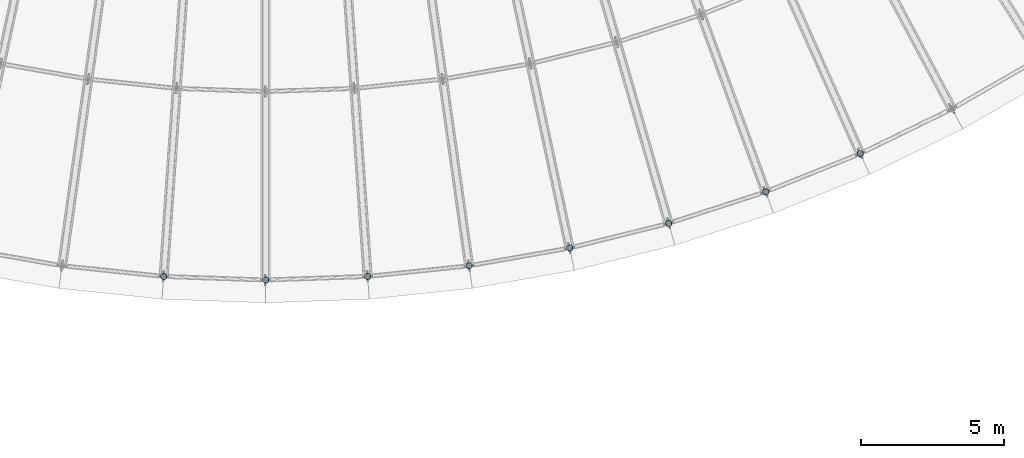
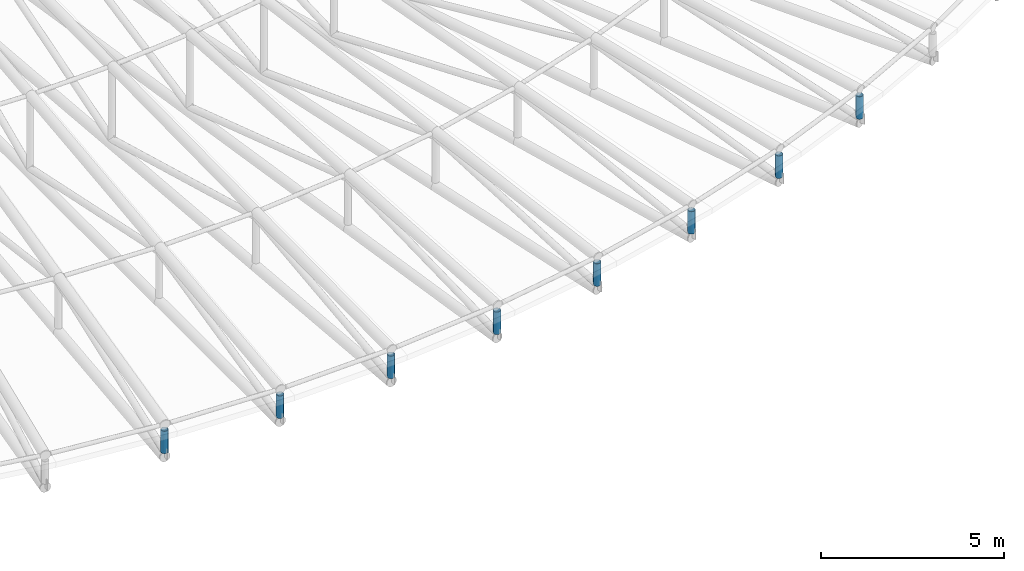
# One storey, part 79 of 163: 8 members.
"""IFC4 building model written with IfcOpenShell, lengths in metres."""

from ifc_helpers import new_model, si_unit, direction, frame, origin, origin_2d, place, context, subcontext, project, spatial, hollow_circle, extrude, material, material_profile, profile_set, type_object, element, save


model = new_model("IFC4")

# Units and contexts
model_context = context("Model", 3, precision=1e-05, world=origin(), true_north=direction((0.0, 1.0)))
body_context = subcontext(model_context, "Body", "Model", "MODEL_VIEW")
ifc_project = project(units=[si_unit("LENGTHUNIT", "METRE"), si_unit("AREAUNIT", "SQUARE_METRE"), si_unit("VOLUMEUNIT", "CUBIC_METRE"), si_unit("PLANEANGLEUNIT", "RADIAN"), si_unit("MASSUNIT", "GRAM", prefix="KILO")], contexts=[model_context])

# Site, building, storey
site_placement = place(None, origin())
site = spatial("IfcSite", under=ifc_project, at=site_placement, CompositionType="ELEMENT")
building_placement = place(site_placement, origin())
building = spatial("IfcBuilding", under=site, at=building_placement, Name="Rain Tree Exposition and Congress Centre", CompositionType="ELEMENT")
storey_placement = place(building_placement, frame((0.0, 0.0, 10.5)))
storey = spatial("IfcBuildingStorey", under=building, at=storey_placement, Name="L02", CompositionType="ELEMENT", Elevation=10.5)

# Members
ifc_material = material(Name="Steel S355J2H", Category="steel")
ifc_material_profile = material_profile(ifc_material, hollow_circle(Radius=0.108154296875, WallThickness=0.008056640625, at=origin_2d()), Name="CHS 216x8")
ifc_profile_set = profile_set([ifc_material_profile], Name="Steel S355J2H")
member_type = type_object("IfcMemberType", Name="Steel post member CHS 216x8", PredefinedType="POST", material=ifc_profile_set)
for number, where, z_axis, x_axis, name in (
    (1, (198.028564453125, 16.124755859375, 0.318603515625), (0.0, 0.0, 1.0), (1.0, 0.0, 0.0), "TP9-0"),
    (2, (201.60009765625, 16.0, 0.318603515625), (0.0, 0.0, 1.0), (1.0, 0.0, 0.0), "TP10-0"),
    (3, (205.17138671875, 16.124755859375, 0.318603515625), (0.0, 0.0, 1.0), (1.0, 0.0, 0.0), "TP11-0"),
    (4, (208.7255859375, 16.498291015625, 0.318603515625), (0.0, 0.0, 1.0), (1.0, 0.0, 0.0), "TP12-0"),
    (5, (212.2451171875, 17.118896484375, 0.318603515625), (0.0, 0.0, 1.0), (1.0, 0.0, 0.0), "TP13-0"),
    (6, (215.712646484375, 17.9833984375, 0.318603515625), (0.0, 0.0, 1.0), (1.0, 0.0, 0.0), "TP14-0"),
    (7, (219.111328125, 19.087646484375, 0.318603515625), (0.0, 0.0, 1.0), (1.0, 0.0, 0.0), "TP15-0"),
    (8, (222.4248046875, 20.426513671875, 0.318603515625), (0.0, 0.0, 1.0), (1.0, 0.0, 0.0), "TP16-0"),
):
    element("IfcMember", number, at=place(storey_placement, frame(where, z_axis=z_axis, x_axis=x_axis)), inside=storey, type_object=member_type, Name=name, PredefinedType="POST", context=body_context, shape_type="SweptSolid", body=[
        extrude(hollow_circle(Radius=0.108154296875, WallThickness=0.008056640625, at=origin_2d()), origin(), (0.0, 0.0, 1.0), 0.74951171875),
    ])

save(model, "model.ifc")
